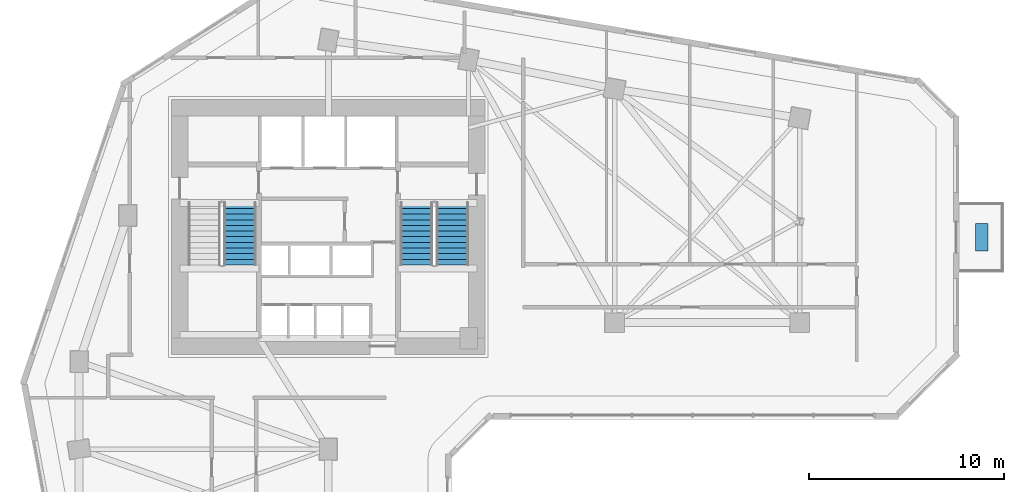
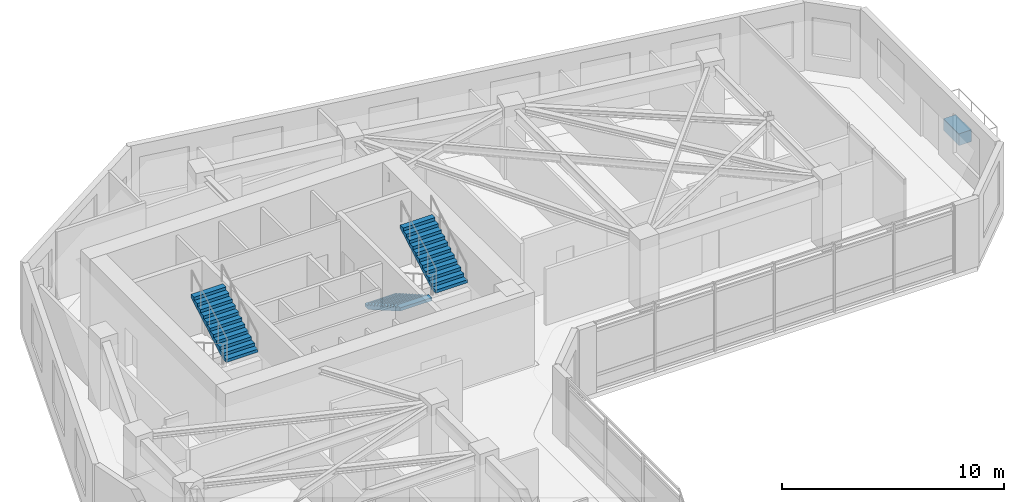
# One storey, part 8 of 11: 3 stair flights, 1 discrete accessory, 2 elements without a shape of their own.
"""IFC4 building model written with IfcOpenShell, lengths in metres."""

from ifc_helpers import new_model, si_unit, direction, frame, origin, origin_2d, place, context, subcontext, project, spatial, polyline, rectangle, outline, extrude, source, transform, mapped, material, type_object, element, aggregate, save


model = new_model("IFC4")

# Units and contexts
model_context = context("Model", 3, precision=1e-05, world=origin(), true_north=direction((0.0, 1.0)))
body_context = subcontext(model_context, "Body", "Model", "MODEL_VIEW")
ifc_project = project(units=[si_unit("LENGTHUNIT", "METRE"), si_unit("AREAUNIT", "SQUARE_METRE"), si_unit("VOLUMEUNIT", "CUBIC_METRE"), si_unit("PLANEANGLEUNIT", "RADIAN"), si_unit("MASSUNIT", "GRAM", prefix="KILO")], contexts=[model_context])

# Site, building, storey
site_placement = place(None, origin())
site = spatial("IfcSite", under=ifc_project, at=site_placement, CompositionType="ELEMENT")
building_placement = place(site_placement, origin())
building = spatial("IfcBuilding", under=site, at=building_placement, Name="Calvemar Wedge Station Tower", CompositionType="ELEMENT")
storey_placement = place(building_placement, frame((0.0, 0.0, 79.0)))
storey = spatial("IfcBuildingStorey", under=building, at=storey_placement, Name="L19", CompositionType="ELEMENT", Elevation=79.0)

# Stair, stair flight
ifc_material_1 = material(Name="Concrete C45", Category="concrete")
stair_type = type_object("IfcStairType", Name="ST-TYPE-4000", PredefinedType="HALF_TURN_STAIR", material=ifc_material_1)
stair_1_placement = place(storey_placement, origin())
stair_1 = element("IfcStair", 1, at=stair_1_placement, inside=storey, type_object=stair_type, Name="L19 Pressurized Core Exit Stair ST-C1", PredefinedType="HALF_TURN_STAIR")
stair_flight_type = type_object("IfcStairFlightType", Name="STF-TYPE-4000", PredefinedType="STRAIGHT", material=ifc_material_1)
stair_flight_1_placement = place(storey_placement, frame((19.27001953125, 37.9599609375, 2.0), z_axis=(0.0, 0.0, 1.0), x_axis=(0.0, 1.0, 0.0)))
stair_flight_1 = element("IfcStairFlight", 2, at=stair_flight_1_placement, type_object=stair_flight_type, Name="ST-C1 flight 2", NumberOfRisers=12, NumberOfTreads=11, PredefinedType="STRAIGHT", RiserHeight=0.166666667, TreadLength=0.29, context=body_context, shape_type="SweptSolid", body=[
    extrude(outline(polyline([(0.0, 0.0), (0.0, 0.166748046875), (0.2900390625, 0.166748046875), (0.2900390625, 0.333251953125), (0.580078125, 0.333251953125), (0.580078125, 0.5), (0.8701171875, 0.5), (0.8701171875, 0.666748046875), (1.159912109375, 0.666748046875), (1.159912109375, 0.833251953125), (1.449951171875, 0.833251953125), (1.449951171875, 1.0), (1.739990234375, 1.0), (1.739990234375, 1.166748046875), (2.030029296875, 1.166748046875), (2.030029296875, 1.333251953125), (2.320068359375, 1.333251953125), (2.320068359375, 1.5), (2.610107421875, 1.5), (2.610107421875, 1.666748046875), (2.89990234375, 1.666748046875), (2.89990234375, 1.833251953125), (3.18994140625, 1.833251953125), (3.18994140625, 2.0), (3.18994140625, 1.660400390625), (0.30078125, 0.0), (0.0, 0.0)])), frame((0.0, 0.830078125, 0.0), z_axis=(0.0, -1.0, 0.0), x_axis=(1.0, 0.0, 0.0)), (0.0, 0.0, 1.0), 1.659912109375),
])
aggregate(stair_1, [stair_flight_1])

# Stair, stair flights
stair_2_placement = place(storey_placement, origin())
stair_2 = element("IfcStair", 3, at=stair_2_placement, inside=storey, type_object=stair_type, Name="L19 Pressurized Core Exit Stair ST-C2", PredefinedType="HALF_TURN_STAIR")
stair_flight_2_placement = place(storey_placement, frame((28.330078125, 41.14990234375, 0.0), z_axis=(0.0, 0.0, 1.0), x_axis=(0.0, -1.0, 0.0)))
stair_flight_2 = element("IfcStairFlight", 4, at=stair_flight_2_placement, type_object=stair_flight_type, Name="ST-C2 flight 1", NumberOfRisers=12, NumberOfTreads=11, PredefinedType="STRAIGHT", RiserHeight=0.166666667, TreadLength=0.29, context=body_context, shape_type="SweptSolid", body=[
    extrude(outline(polyline([(0.0, 0.0), (0.0, 0.166748046875), (0.2900390625, 0.166748046875), (0.2900390625, 0.333251953125), (0.580078125, 0.333251953125), (0.580078125, 0.5), (0.8701171875, 0.5), (0.8701171875, 0.666748046875), (1.159912109375, 0.666748046875), (1.159912109375, 0.833251953125), (1.449951171875, 0.833251953125), (1.449951171875, 1.0), (1.739990234375, 1.0), (1.739990234375, 1.166748046875), (2.030029296875, 1.166748046875), (2.030029296875, 1.333251953125), (2.320068359375, 1.333251953125), (2.320068359375, 1.5), (2.610107421875, 1.5), (2.610107421875, 1.666748046875), (2.89990234375, 1.666748046875), (2.89990234375, 1.833251953125), (3.18994140625, 1.833251953125), (3.18994140625, 2.0), (3.18994140625, 1.660400390625), (0.30078125, 0.0), (0.0, 0.0)])), frame((0.0, 0.830078125, 0.0), z_axis=(0.0, -1.0, 0.0), x_axis=(1.0, 0.0, 0.0)), (0.0, 0.0, 1.0), 1.659912109375),
])
stair_flight_3_placement = place(storey_placement, frame((30.169921875, 37.9599609375, 2.0), z_axis=(0.0, 0.0, 1.0), x_axis=(0.0, 1.0, 0.0)))
stair_flight_3 = element("IfcStairFlight", 5, at=stair_flight_3_placement, type_object=stair_flight_type, Name="ST-C2 flight 2", NumberOfRisers=12, NumberOfTreads=11, PredefinedType="STRAIGHT", RiserHeight=0.166666667, TreadLength=0.29, context=body_context, shape_type="SweptSolid", body=[
    extrude(outline(polyline([(0.0, 0.0), (0.0, 0.166748046875), (0.2900390625, 0.166748046875), (0.2900390625, 0.333251953125), (0.580078125, 0.333251953125), (0.580078125, 0.5), (0.8701171875, 0.5), (0.8701171875, 0.666748046875), (1.159912109375, 0.666748046875), (1.159912109375, 0.833251953125), (1.449951171875, 0.833251953125), (1.449951171875, 1.0), (1.739990234375, 1.0), (1.739990234375, 1.166748046875), (2.030029296875, 1.166748046875), (2.030029296875, 1.333251953125), (2.320068359375, 1.333251953125), (2.320068359375, 1.5), (2.610107421875, 1.5), (2.610107421875, 1.666748046875), (2.89990234375, 1.666748046875), (2.89990234375, 1.833251953125), (3.18994140625, 1.833251953125), (3.18994140625, 2.0), (3.18994140625, 1.660400390625), (0.30078125, 0.0), (0.0, 0.0)])), frame((0.0, 0.830078125, 0.0), z_axis=(0.0, -1.0, 0.0), x_axis=(1.0, 0.0, 0.0)), (0.0, 0.0, 1.0), 1.659912109375),
])
aggregate(stair_2, [stair_flight_2, stair_flight_3])

# Discrete accessory
ifc_material_2 = material(Name="Precast concrete C45", Category="concrete")
discrete_accessory_type = type_object("IfcDiscreteAccessoryType", Name="ACC-PLANTER", PredefinedType="USERDEFINED", material=ifc_material_2)
shared_shape = source(origin(), body_context, "Body", "SweptSolid", [
    extrude(rectangle(XDim=0.64990234375, YDim=1.39990234375, at=origin_2d()), origin(), (0.0, 0.0, 1.0), 0.64990234375),
])
discrete_accessory_placement = place(storey_placement, frame((57.35009765625, 39.3779296875, 0.0), z_axis=(0.0, 0.0, 1.0), x_axis=(1.0, 0.0, 0.0)))
element("IfcDiscreteAccessory", 6, at=discrete_accessory_placement, inside=storey, type_object=discrete_accessory_type, Name="Storey L19 Planted Terrace GFRC Planter", ObjectType="PLANTER", PredefinedType="USERDEFINED", context=body_context, shape_type="MappedRepresentation", body=[
    mapped(shared_shape, transform((0.0, 0.0, 0.0), scale=1.0)),
])

save(model, "model.ifc")
